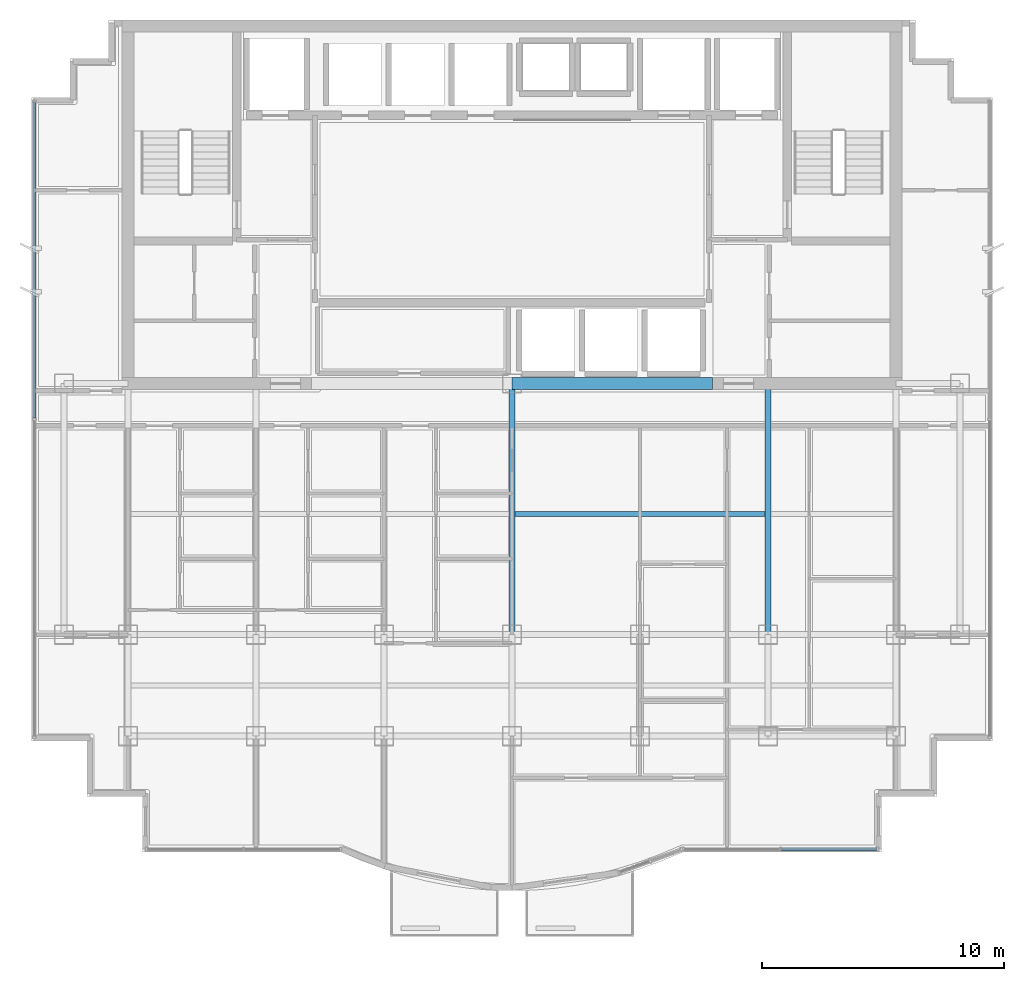
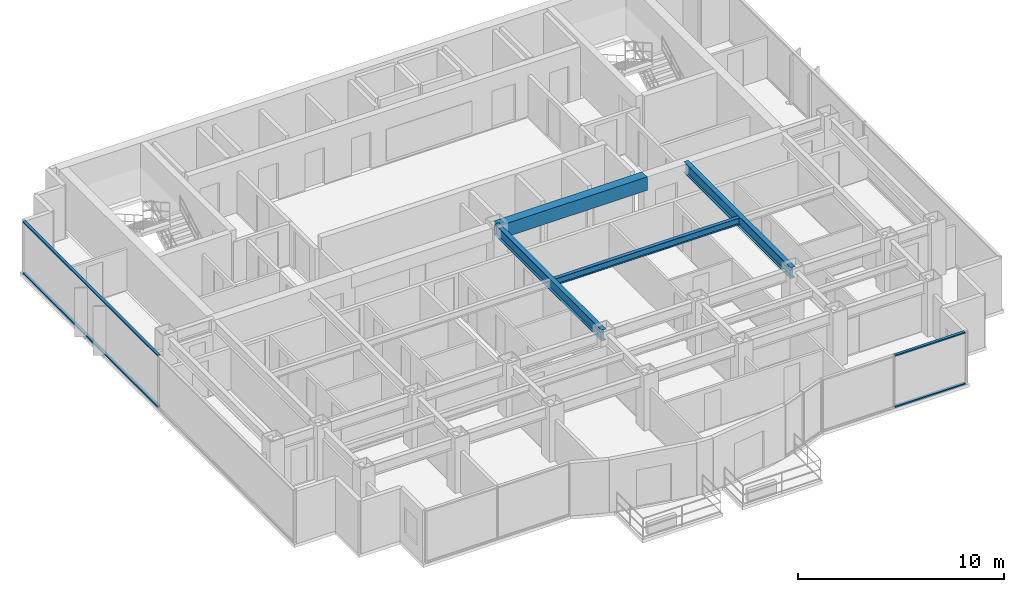
# One storey, part 3 of 12: 4 beams, 4 members, 2 elements without a shape of their own.
"""IFC4 building model written with IfcOpenShell, lengths in metres."""

import ifcopenshell
import ifcopenshell.guid

model = None  # the IFC model being written
_history = None  # IfcOwnerHistory: only IFC2X3 demands one
_inside = {}  # id of a spatial element -> (the spatial element, [elements in it])
_under = {}  # id of a project, library or spatial element -> (it, [spatial elements below it])
_declared = {}  # id of a project -> (the project, [libraries it declares])
_typed = {}  # id of a type object -> (the type object, [elements of that type])
_made_of = {}  # id of a material, layer set ... -> (it, [elements and type objects made of it])


def new_model(schema):
    """Start an empty IFC model of exactly this schema.

    Asked for "IFC4X3", IfcOpenShell would pick the latest addendum, in which some entities
    have other attributes; the version numbers below select the first issue.
    IFC2X3 requires an IfcOwnerHistory on every rooted entity: one is made here for all.
    """
    global model, _history
    if schema == "IFC4X3":
        model = ifcopenshell.file(schema_version=(4, 3, 0, 0))
    else:
        model = ifcopenshell.file(schema=schema)
    _inside.clear()
    _under.clear()
    _declared.clear()
    _typed.clear()
    _made_of.clear()
    _history = None
    if model.schema == "IFC2X3":
        org = make("IfcOrganization", Name="unknown")
        user = make(
            "IfcPersonAndOrganization",
            ThePerson=make("IfcPerson", FamilyName="unknown"),
            TheOrganization=org,
        )
        app = make(
            "IfcApplication",
            ApplicationDeveloper=org,
            Version="unknown",
            ApplicationFullName="unknown",
            ApplicationIdentifier="unknown",
        )
        _history = make(
            "IfcOwnerHistory",
            OwningUser=user,
            OwningApplication=app,
            ChangeAction="ADDED",
            CreationDate=0,
        )
    return model


def make(cls, **values):
    """One entity of the class cls with the attributes given. An attribute that is None is left unset."""
    return model.create_entity(
        cls, **{name: value for name, value in values.items() if value is not None}
    )


def rooted(cls, **values):
    """An entity with a GlobalId (a new one), such as an element, a storey or a relation."""
    return make(cls, GlobalId=ifcopenshell.guid.new(), OwnerHistory=_history, **values)


def si_unit(unit_type, name, prefix=None):
    """IfcSIUnit, for example si_unit("LENGTHUNIT", "METRE", prefix="MILLI")."""
    return make("IfcSIUnit", UnitType=unit_type, Prefix=prefix, Name=name)


def assignment(units):
    """IfcUnitAssignment: the units of a project."""
    return None if units is None else make("IfcUnitAssignment", Units=units)


def point(xyz):
    """IfcCartesianPoint."""
    return None if xyz is None else make("IfcCartesianPoint", Coordinates=xyz)


def direction(xyz):
    """IfcDirection."""
    return None if xyz is None else make("IfcDirection", DirectionRatios=xyz)


def frame(location, z_axis=None, x_axis=None):
    """IfcAxis2Placement3D, a coordinate frame: its origin and axes. An axis left out is left unset."""
    return make(
        "IfcAxis2Placement3D",
        Location=point(location),
        Axis=direction(z_axis),
        RefDirection=direction(x_axis),
    )


def frame_2d(location, x_axis=None):
    """IfcAxis2Placement2D, a coordinate frame in the plane: its origin and x axis."""
    return make(
        "IfcAxis2Placement2D", Location=point(location), RefDirection=direction(x_axis)
    )


def origin():
    """The frame at (0, 0, 0) with its axes left unset."""
    return frame((0.0, 0.0, 0.0))


def origin_2d():
    """The frame at (0, 0) in the plane with its x axis left unset."""
    return frame_2d((0.0, 0.0))


def place(relative_to, where):
    """IfcLocalPlacement: puts the frame where relative to a parent placement (None: the world)."""
    return make(
        "IfcLocalPlacement", PlacementRelTo=relative_to, RelativePlacement=where
    )


def context(
    kind, dimensions, precision=None, world=None, true_north=None, identifier=None
):
    """IfcGeometricRepresentationContext, for example the 3D "Model" context."""
    return make(
        "IfcGeometricRepresentationContext",
        ContextIdentifier=identifier,
        ContextType=kind,
        CoordinateSpaceDimension=dimensions,
        Precision=precision,
        WorldCoordinateSystem=world,
        TrueNorth=true_north,
    )


def subcontext(parent, identifier, kind, view, scale=None):
    """IfcGeometricRepresentationSubContext, for example "Body" below "Model"."""
    return make(
        "IfcGeometricRepresentationSubContext",
        ContextIdentifier=identifier,
        ContextType=kind,
        ParentContext=parent,
        TargetScale=scale,
        TargetView=view,
    )


def project(units=None, contexts=None):
    """IfcProject with its units and contexts."""
    return rooted(
        "IfcProject",
        Name="project",
        RepresentationContexts=contexts,
        UnitsInContext=assignment(units),
    )


def spatial(cls, under=None, at=None, **own):
    """A site, building, storey or space (cls), placed at a placement, below another one or the project."""
    s = rooted(cls, ObjectPlacement=at, **own)
    if under is not None:
        _under.setdefault(under.id(), (under, []))[1].append(s)
    return s


def profile(cls, at=None, kind="AREA", **sizes):
    """A parametric profile (cls). Its sizes go by their IFC names, for example OverallWidth=200.0."""
    return make(cls, ProfileType=kind, Position=at, **sizes)


def rectangle(**sizes):
    """IfcRectangleProfileDef."""
    return profile("IfcRectangleProfileDef", **sizes)


def i_section(**sizes):
    """IfcIShapeProfileDef."""
    return profile("IfcIShapeProfileDef", **sizes)


def extrude(swept, where, along, depth):
    """IfcExtrudedAreaSolid: the profile swept, set in the frame where, extruded along a direction by depth."""
    return make(
        "IfcExtrudedAreaSolid",
        SweptArea=swept,
        Position=where,
        ExtrudedDirection=direction(along),
        Depth=depth,
    )


def shape(context_of_items, identifier, shape_type, items):
    """IfcShapeRepresentation: the items that make up one representation, for example the "Body"."""
    return make(
        "IfcShapeRepresentation",
        ContextOfItems=context_of_items,
        RepresentationIdentifier=identifier,
        RepresentationType=shape_type,
        Items=items,
    )


def source(mapping_origin, context_of_items, identifier, shape_type, items):
    """IfcRepresentationMap: a shape defined once, which mapped items show again and again."""
    return make(
        "IfcRepresentationMap",
        MappingOrigin=mapping_origin,
        MappedRepresentation=shape(context_of_items, identifier, shape_type, items),
    )


def transform(
    local_origin,
    x_axis=None,
    y_axis=None,
    z_axis=None,
    scale=None,
    scale2=None,
    scale3=None,
    uniform=True,
):
    """IfcCartesianTransformationOperator3D, or its non-uniform kind. x_axis, y_axis, z_axis: its Axis1, 2, 3."""
    if uniform:
        return make(
            "IfcCartesianTransformationOperator3D",
            Axis1=direction(x_axis),
            Axis2=direction(y_axis),
            LocalOrigin=point(local_origin),
            Scale=scale,
            Axis3=direction(z_axis),
        )
    return make(
        "IfcCartesianTransformationOperator3DnonUniform",
        Axis1=direction(x_axis),
        Axis2=direction(y_axis),
        LocalOrigin=point(local_origin),
        Scale=scale,
        Axis3=direction(z_axis),
        Scale2=scale2,
        Scale3=scale3,
    )


def mapped(mapping_source, mapping_target):
    """IfcMappedItem: shows the shape of a source again, moved by a transform."""
    return make(
        "IfcMappedItem", MappingSource=mapping_source, MappingTarget=mapping_target
    )


def material(Name=None, Category=None):
    """IfcMaterial."""
    return make("IfcMaterial", Name=Name, Category=Category)


def layer(
    of_material, thickness, ventilated=None, Name=None, Category=None, Priority=None
):
    """IfcMaterialLayer: one layer of a wall or slab, of a material (None: an air gap)."""
    return make(
        "IfcMaterialLayer",
        Material=of_material,
        LayerThickness=thickness,
        IsVentilated=ventilated,
        Name=Name,
        Category=Category,
        Priority=Priority,
    )


def layer_set(layers, Name=None):
    """IfcMaterialLayerSet."""
    return make("IfcMaterialLayerSet", MaterialLayers=layers, LayerSetName=Name)


def material_profile(
    of_material, cross_section, Name=None, Category=None, Priority=None
):
    """IfcMaterialProfile: a cross section and its material."""
    return make(
        "IfcMaterialProfile",
        Name=Name,
        Material=of_material,
        Profile=cross_section,
        Priority=Priority,
        Category=Category,
    )


def profile_set(profiles, Name=None, composite=None):
    """IfcMaterialProfileSet."""
    return make(
        "IfcMaterialProfileSet",
        Name=Name,
        MaterialProfiles=profiles,
        CompositeProfile=composite,
    )


def made_of(thing, what):
    """Note that an element or type object is made of a material, layer set ...; save() writes the relation."""
    if what is not None:
        _made_of.setdefault(what.id(), (what, []))[1].append(thing)
    return thing


def type_object(cls, material=None, **own):
    """A type object (cls), such as IfcWallType, which elements share."""
    return made_of(rooted(cls, **own), material)


def element(
    cls,
    number,
    at=None,
    inside=None,
    cuts=None,
    type_object=None,
    material=None,
    context=None,
    identifier="Body",
    shape_type=None,
    held_by="IfcProductDefinitionShape",
    body=None,
    shapes=None,
    **own,
):
    """One element of the class cls, such as IfcWall. Its Tag is "e" and its number.

    at: its placement. inside: the storey or other place that contains it. cuts: it is an
    opening in that element (IfcRelVoidsElement). A single representation is given by context,
    identifier, shape_type and body (its items); several are given by shapes. held_by: the class
    of the entity that holds the representations. save() writes the other relations.
    """
    e = rooted(cls, Tag="e%d" % number, ObjectPlacement=at, **own)
    if body is not None:
        shapes = [shape(context, identifier, shape_type, body)]
    if shapes is not None:
        e.Representation = make(held_by, Representations=shapes)
    if inside is not None:
        _inside.setdefault(inside.id(), (inside, []))[1].append(e)
    if cuts is not None:
        rooted(
            "IfcRelVoidsElement", RelatingBuildingElement=cuts, RelatedOpeningElement=e
        )
    if type_object is not None:
        _typed.setdefault(type_object.id(), (type_object, []))[1].append(e)
    return made_of(e, material)


def aggregate(whole, parts):
    """IfcRelAggregates: a whole, such as a stair, and the parts it consists of."""
    return rooted("IfcRelAggregates", RelatingObject=whole, RelatedObjects=parts)


def save(model, path):
    """Write the relations noted so far, then the file.

    IfcRelAggregates (storeys below a building ...), IfcRelContainedInSpatialStructure (elements
    in a storey), IfcRelDefinesByType, IfcRelAssociatesMaterial and IfcRelDeclares: one each for
    every whole, place, type object, material and project.
    """
    for whole, parts in _under.values():
        aggregate(whole, parts)
    for where, things in _inside.values():
        rooted(
            "IfcRelContainedInSpatialStructure",
            RelatedElements=things,
            RelatingStructure=where,
        )
    for kind, things in _typed.values():
        rooted("IfcRelDefinesByType", RelatedObjects=things, RelatingType=kind)
    for what, things in _made_of.values():
        rooted("IfcRelAssociatesMaterial", RelatedObjects=things, RelatingMaterial=what)
    for by, libraries in _declared.values():
        rooted("IfcRelDeclares", RelatingContext=by, RelatedDefinitions=libraries)
    model.write(path)


model = new_model("IFC4")

# Units and contexts
model_context = context("Model", 3, precision=1e-05, world=origin(), true_north=direction((0.0, 1.0)))
body_context = subcontext(model_context, "Body", "Model", "MODEL_VIEW")
ifc_project = project(units=[si_unit("LENGTHUNIT", "METRE"), si_unit("AREAUNIT", "SQUARE_METRE"), si_unit("VOLUMEUNIT", "CUBIC_METRE"), si_unit("PLANEANGLEUNIT", "RADIAN"), si_unit("MASSUNIT", "GRAM", prefix="KILO")], contexts=[model_context])

# Site, building, storey
site_placement = place(None, origin())
site = spatial("IfcSite", under=ifc_project, at=site_placement, CompositionType="ELEMENT")
building_placement = place(site_placement, origin())
building = spatial("IfcBuilding", under=site, at=building_placement, Name="Qianlan Lanfeng Residences", CompositionType="ELEMENT")
storey_placement = place(building_placement, frame((0.0, 0.0, 196.699951171875)))
storey = spatial("IfcBuildingStorey", under=building, at=storey_placement, Name="L53", CompositionType="ELEMENT", Elevation=196.699951171875)

# Beams
ifc_material_1 = material(Name="Steel SN490B", Category="steel")
ifc_material_profile_1 = material_profile(ifc_material_1, i_section(OverallWidth=0.25, OverallDepth=0.64990234375, WebThickness=0.012939453125, FlangeThickness=0.02197265625, at=origin_2d()), Name="H 650x250x13x22")
ifc_profile_set_1 = profile_set([ifc_material_profile_1], Name="Steel SN490B")
beam_type_1 = type_object("IfcBeamType", Name="G-650", PredefinedType="BEAM", material=ifc_profile_set_1)
for number, where, z_axis, x_axis, name in (
    (1, (26.5, 14.800048828125, 2.78515625), (0.0, 1.0, 0.0), (-1.0, 0.0, 0.0), "Structural beam G-650"),
    (2, (37.10009765625, 14.800048828125, 2.78515625), (0.0, 1.0, 0.0), (-1.0, 0.0, 0.0), "Structural beam G-650"),
):
    element("IfcBeam", number, at=place(storey_placement, frame(where, z_axis=z_axis, x_axis=x_axis)), inside=storey, type_object=beam_type_1, Name=name, PredefinedType="BEAM", context=body_context, shape_type="SweptSolid", body=[
        extrude(i_section(OverallWidth=0.25, OverallDepth=0.64990234375, WebThickness=0.012939453125, FlangeThickness=0.02197265625, at=origin_2d()), origin(), (0.0, 0.0, 1.0), 10.39990234375),
    ])
ifc_material_profile_2 = material_profile(ifc_material_1, i_section(OverallWidth=0.199951171875, OverallDepth=0.39990234375, WebThickness=0.008056640625, FlangeThickness=0.012939453125, at=origin_2d()), Name="H 400x200x8x13")
ifc_profile_set_2 = profile_set([ifc_material_profile_2], Name="Steel SN490B")
beam_type_2 = type_object("IfcBeamType", Name="J-400", PredefinedType="JOIST", material=ifc_profile_set_2)
beam_1_placement = place(storey_placement, frame((26.625, 19.800048828125, 2.91015625), z_axis=(1.0, 0.0, 0.0), x_axis=(0.0, 1.0, 0.0)))
element("IfcBeam", 3, at=beam_1_placement, inside=storey, type_object=beam_type_2, Name="Structural beam J-400", PredefinedType="JOIST", context=body_context, shape_type="SweptSolid", body=[
    extrude(i_section(OverallWidth=0.199951171875, OverallDepth=0.39990234375, WebThickness=0.008056640625, FlangeThickness=0.012939453125, at=origin_2d()), origin(), (0.0, 0.0, 1.0), 10.35009765625),
])
ifc_material_2 = material(Name="Concrete C49", Category="concrete")
ifc_material_profile_3 = material_profile(ifc_material_2, rectangle(XDim=0.5, YDim=0.800048828125, at=origin_2d()), Name="RC 500x800")
ifc_profile_set_3 = profile_set([ifc_material_profile_3], Name="Concrete C49")
beam_type_3 = type_object("IfcBeamType", Name="LB-RC750", PredefinedType="BEAM", material=ifc_profile_set_3)
beam_2_placement = place(storey_placement, frame((26.5, 25.199951171875, 2.7099609375), z_axis=(1.0, 0.0, 0.0), x_axis=(0.0, 1.0, 0.0)))
element("IfcBeam", 4, at=beam_2_placement, inside=storey, type_object=beam_type_3, Name="L53 Core Coupling Beam E", PredefinedType="BEAM", context=body_context, shape_type="SweptSolid", body=[
    extrude(rectangle(XDim=0.5, YDim=0.800048828125, at=origin_2d()), origin(), (0.0, 0.0, 1.0), 8.300048828125),
])

# Curtain wall, members
ifc_material_3 = material(Name="Anodised Bronze Aluminium 6063-T6", Category="aluminium")
ifc_layer = layer(ifc_material_3, 0.219970703125)
ifc_layer_set = layer_set([ifc_layer], Name="Anodised Bronze Aluminium 6063-T6")
curtain_wall_type = type_object("IfcCurtainWallType", Name="CW-05", PredefinedType="NOTDEFINED", material=ifc_layer_set)
curtain_wall_1_placement = place(storey_placement, origin())
curtain_wall_1 = element("IfcCurtainWall", 5, at=curtain_wall_1_placement, inside=storey, type_object=curtain_wall_type, Name="L53 Unitised Curtain Wall CWR-L53-03 (CW-05)", PredefinedType="NOTDEFINED")
ifc_material_profile_4 = material_profile(ifc_material_3, rectangle(XDim=0.074951171875, YDim=0.14990234375, at=origin_2d()), Name="ALU TRANSOM 75x150")
ifc_profile_set_4 = profile_set([ifc_material_profile_4], Name="Anodised Bronze Aluminium 6063-T6")
member_type = type_object("IfcMemberType", Name="CWT-150", PredefinedType="USERDEFINED", material=ifc_profile_set_4)
shared_shape_1 = source(origin(), body_context, "Body", "SweptSolid", [
    extrude(rectangle(XDim=0.074951171875, YDim=0.14990234375, at=origin_2d()), origin(), (0.0, 0.0, 1.0), 3.949462890625),
])
member_1_placement = place(storey_placement, frame((37.655517578125, 5.919921875, 0.03759765625), z_axis=(1.0, 0.0, 0.0), x_axis=(0.0, 0.0, 1.0)))
member_1 = element("IfcMember", 6, at=member_1_placement, type_object=member_type, Name="CWR-L53-03 Transom 2-BOT", ObjectType="TRANSOM", PredefinedType="USERDEFINED", context=body_context, shape_type="MappedRepresentation", body=[
    mapped(shared_shape_1, transform((0.0, 0.0, 0.0), scale=1.0)),
])
member_2_placement = place(storey_placement, frame((37.655517578125, 5.919921875, 3.072509765625), z_axis=(1.0, 0.0, 0.0), x_axis=(0.0, 0.0, 1.0)))
member_2 = element("IfcMember", 7, at=member_2_placement, type_object=member_type, Name="CWR-L53-03 Transom 2-TOP", ObjectType="TRANSOM", PredefinedType="USERDEFINED", context=body_context, shape_type="MappedRepresentation", body=[
    mapped(shared_shape_1, transform((0.0, 0.0, 0.0), scale=1.0)),
])
aggregate(curtain_wall_1, [member_1, member_2])

curtain_wall_2_placement = place(storey_placement, origin())
curtain_wall_2 = element("IfcCurtainWall", 8, at=curtain_wall_2_placement, inside=storey, type_object=curtain_wall_type, Name="L53 Unitised Curtain Wall CWR-L53-05 (CW-05)", PredefinedType="NOTDEFINED")
shared_shape_2 = source(origin(), body_context, "Body", "SweptSolid", [
    extrude(rectangle(XDim=0.074951171875, YDim=0.14990234375, at=origin_2d()), origin(), (0.0, 0.0, 1.0), 13.092529296875),
])
member_3_placement = place(storey_placement, frame((6.719970703125, 36.85498046875, 0.03759765625), z_axis=(0.0, -1.0, 0.0), x_axis=(0.0, 0.0, 1.0)))
member_3 = element("IfcMember", 9, at=member_3_placement, type_object=member_type, Name="CWR-L53-05 Transom 1-BOT", ObjectType="TRANSOM", PredefinedType="USERDEFINED", context=body_context, shape_type="MappedRepresentation", body=[
    mapped(shared_shape_2, transform((0.0, 0.0, 0.0), scale=1.0)),
])
member_4_placement = place(storey_placement, frame((6.719970703125, 36.85498046875, 3.072509765625), z_axis=(0.0, -1.0, 0.0), x_axis=(0.0, 0.0, 1.0)))
member_4 = element("IfcMember", 10, at=member_4_placement, type_object=member_type, Name="CWR-L53-05 Transom 1-TOP", ObjectType="TRANSOM", PredefinedType="USERDEFINED", context=body_context, shape_type="MappedRepresentation", body=[
    mapped(shared_shape_2, transform((0.0, 0.0, 0.0), scale=1.0)),
])
aggregate(curtain_wall_2, [member_3, member_4])

save(model, "model.ifc")
